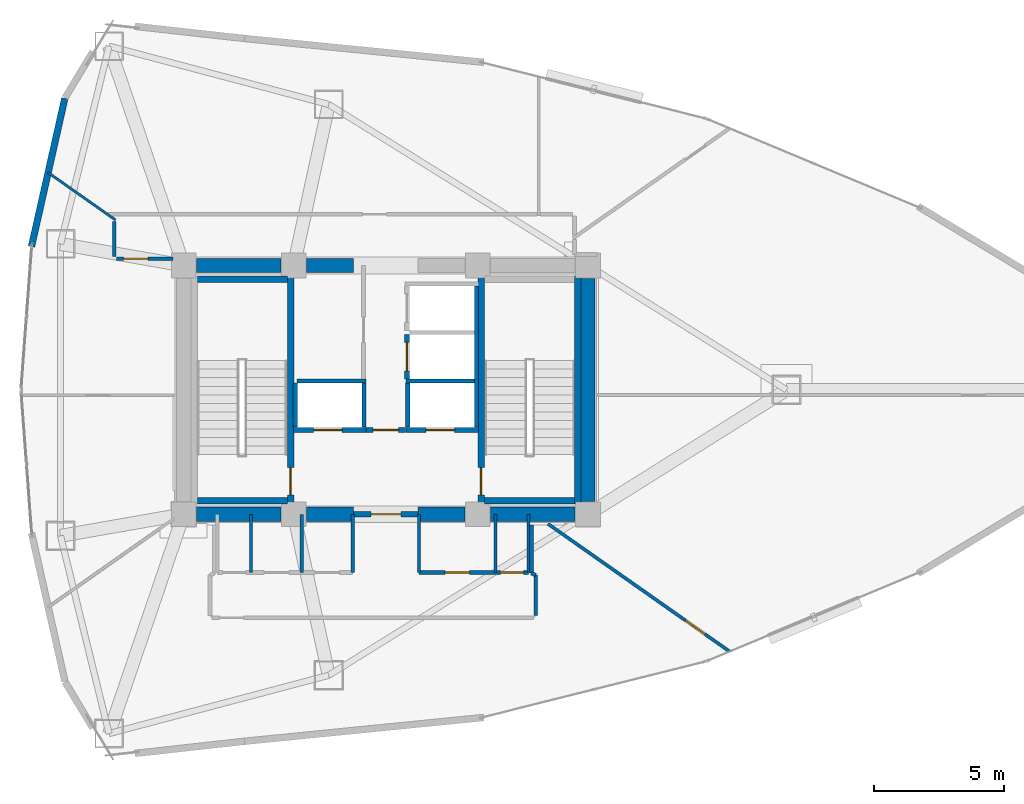
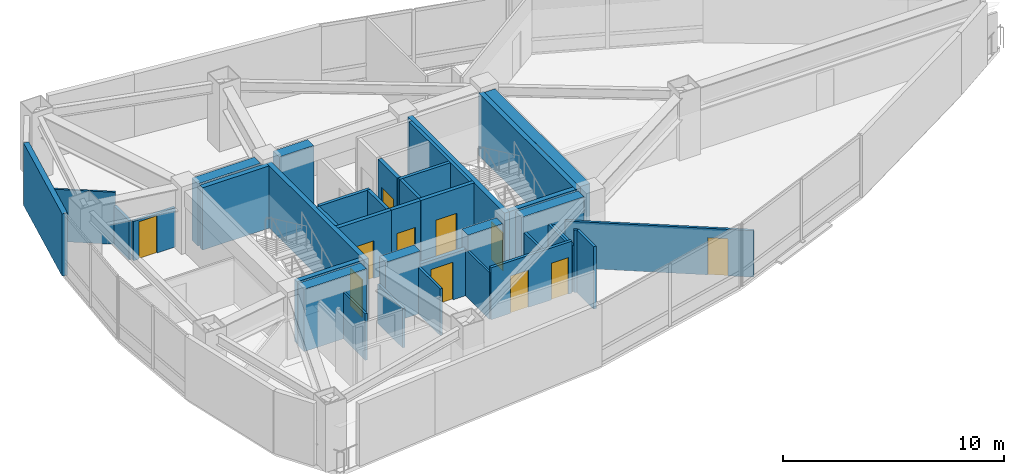
# One storey, part 14 of 18: 39 walls, 11 doors, 11 openings.
"""IFC4 building model written with IfcOpenShell, lengths in metres."""

import ifcopenshell
import ifcopenshell.guid

model = None  # the IFC model being written
_history = None  # IfcOwnerHistory: only IFC2X3 demands one
_inside = {}  # id of a spatial element -> (the spatial element, [elements in it])
_under = {}  # id of a project, library or spatial element -> (it, [spatial elements below it])
_declared = {}  # id of a project -> (the project, [libraries it declares])
_typed = {}  # id of a type object -> (the type object, [elements of that type])
_made_of = {}  # id of a material, layer set ... -> (it, [elements and type objects made of it])


def new_model(schema):
    """Start an empty IFC model of exactly this schema.

    Asked for "IFC4X3", IfcOpenShell would pick the latest addendum, in which some entities
    have other attributes; the version numbers below select the first issue.
    IFC2X3 requires an IfcOwnerHistory on every rooted entity: one is made here for all.
    """
    global model, _history
    if schema == "IFC4X3":
        model = ifcopenshell.file(schema_version=(4, 3, 0, 0))
    else:
        model = ifcopenshell.file(schema=schema)
    _inside.clear()
    _under.clear()
    _declared.clear()
    _typed.clear()
    _made_of.clear()
    _history = None
    if model.schema == "IFC2X3":
        org = make("IfcOrganization", Name="unknown")
        user = make(
            "IfcPersonAndOrganization",
            ThePerson=make("IfcPerson", FamilyName="unknown"),
            TheOrganization=org,
        )
        app = make(
            "IfcApplication",
            ApplicationDeveloper=org,
            Version="unknown",
            ApplicationFullName="unknown",
            ApplicationIdentifier="unknown",
        )
        _history = make(
            "IfcOwnerHistory",
            OwningUser=user,
            OwningApplication=app,
            ChangeAction="ADDED",
            CreationDate=0,
        )
    return model


def make(cls, **values):
    """One entity of the class cls with the attributes given. An attribute that is None is left unset."""
    return model.create_entity(
        cls, **{name: value for name, value in values.items() if value is not None}
    )


def rooted(cls, **values):
    """An entity with a GlobalId (a new one), such as an element, a storey or a relation."""
    return make(cls, GlobalId=ifcopenshell.guid.new(), OwnerHistory=_history, **values)


def si_unit(unit_type, name, prefix=None):
    """IfcSIUnit, for example si_unit("LENGTHUNIT", "METRE", prefix="MILLI")."""
    return make("IfcSIUnit", UnitType=unit_type, Prefix=prefix, Name=name)


def assignment(units):
    """IfcUnitAssignment: the units of a project."""
    return None if units is None else make("IfcUnitAssignment", Units=units)


def point(xyz):
    """IfcCartesianPoint."""
    return None if xyz is None else make("IfcCartesianPoint", Coordinates=xyz)


def direction(xyz):
    """IfcDirection."""
    return None if xyz is None else make("IfcDirection", DirectionRatios=xyz)


def frame(location, z_axis=None, x_axis=None):
    """IfcAxis2Placement3D, a coordinate frame: its origin and axes. An axis left out is left unset."""
    return make(
        "IfcAxis2Placement3D",
        Location=point(location),
        Axis=direction(z_axis),
        RefDirection=direction(x_axis),
    )


def frame_2d(location, x_axis=None):
    """IfcAxis2Placement2D, a coordinate frame in the plane: its origin and x axis."""
    return make(
        "IfcAxis2Placement2D", Location=point(location), RefDirection=direction(x_axis)
    )


def origin():
    """The frame at (0, 0, 0) with its axes left unset."""
    return frame((0.0, 0.0, 0.0))


def place(relative_to, where):
    """IfcLocalPlacement: puts the frame where relative to a parent placement (None: the world)."""
    return make(
        "IfcLocalPlacement", PlacementRelTo=relative_to, RelativePlacement=where
    )


def context(
    kind, dimensions, precision=None, world=None, true_north=None, identifier=None
):
    """IfcGeometricRepresentationContext, for example the 3D "Model" context."""
    return make(
        "IfcGeometricRepresentationContext",
        ContextIdentifier=identifier,
        ContextType=kind,
        CoordinateSpaceDimension=dimensions,
        Precision=precision,
        WorldCoordinateSystem=world,
        TrueNorth=true_north,
    )


def subcontext(parent, identifier, kind, view, scale=None):
    """IfcGeometricRepresentationSubContext, for example "Body" below "Model"."""
    return make(
        "IfcGeometricRepresentationSubContext",
        ContextIdentifier=identifier,
        ContextType=kind,
        ParentContext=parent,
        TargetScale=scale,
        TargetView=view,
    )


def project(units=None, contexts=None):
    """IfcProject with its units and contexts."""
    return rooted(
        "IfcProject",
        Name="project",
        RepresentationContexts=contexts,
        UnitsInContext=assignment(units),
    )


def spatial(cls, under=None, at=None, **own):
    """A site, building, storey or space (cls), placed at a placement, below another one or the project."""
    s = rooted(cls, ObjectPlacement=at, **own)
    if under is not None:
        _under.setdefault(under.id(), (under, []))[1].append(s)
    return s


def profile(cls, at=None, kind="AREA", **sizes):
    """A parametric profile (cls). Its sizes go by their IFC names, for example OverallWidth=200.0."""
    return make(cls, ProfileType=kind, Position=at, **sizes)


def rectangle(**sizes):
    """IfcRectangleProfileDef."""
    return profile("IfcRectangleProfileDef", **sizes)


def extrude(swept, where, along, depth):
    """IfcExtrudedAreaSolid: the profile swept, set in the frame where, extruded along a direction by depth."""
    return make(
        "IfcExtrudedAreaSolid",
        SweptArea=swept,
        Position=where,
        ExtrudedDirection=direction(along),
        Depth=depth,
    )


def shape(context_of_items, identifier, shape_type, items):
    """IfcShapeRepresentation: the items that make up one representation, for example the "Body"."""
    return make(
        "IfcShapeRepresentation",
        ContextOfItems=context_of_items,
        RepresentationIdentifier=identifier,
        RepresentationType=shape_type,
        Items=items,
    )


def material(Name=None, Category=None):
    """IfcMaterial."""
    return make("IfcMaterial", Name=Name, Category=Category)


def layer(
    of_material, thickness, ventilated=None, Name=None, Category=None, Priority=None
):
    """IfcMaterialLayer: one layer of a wall or slab, of a material (None: an air gap)."""
    return make(
        "IfcMaterialLayer",
        Material=of_material,
        LayerThickness=thickness,
        IsVentilated=ventilated,
        Name=Name,
        Category=Category,
        Priority=Priority,
    )


def layer_set(layers, Name=None):
    """IfcMaterialLayerSet."""
    return make("IfcMaterialLayerSet", MaterialLayers=layers, LayerSetName=Name)


def made_of(thing, what):
    """Note that an element or type object is made of a material, layer set ...; save() writes the relation."""
    if what is not None:
        _made_of.setdefault(what.id(), (what, []))[1].append(thing)
    return thing


def type_object(cls, material=None, **own):
    """A type object (cls), such as IfcWallType, which elements share."""
    return made_of(rooted(cls, **own), material)


def element(
    cls,
    number,
    at=None,
    inside=None,
    cuts=None,
    type_object=None,
    material=None,
    context=None,
    identifier="Body",
    shape_type=None,
    held_by="IfcProductDefinitionShape",
    body=None,
    shapes=None,
    **own,
):
    """One element of the class cls, such as IfcWall. Its Tag is "e" and its number.

    at: its placement. inside: the storey or other place that contains it. cuts: it is an
    opening in that element (IfcRelVoidsElement). A single representation is given by context,
    identifier, shape_type and body (its items); several are given by shapes. held_by: the class
    of the entity that holds the representations. save() writes the other relations.
    """
    e = rooted(cls, Tag="e%d" % number, ObjectPlacement=at, **own)
    if body is not None:
        shapes = [shape(context, identifier, shape_type, body)]
    if shapes is not None:
        e.Representation = make(held_by, Representations=shapes)
    if inside is not None:
        _inside.setdefault(inside.id(), (inside, []))[1].append(e)
    if cuts is not None:
        rooted(
            "IfcRelVoidsElement", RelatingBuildingElement=cuts, RelatedOpeningElement=e
        )
    if type_object is not None:
        _typed.setdefault(type_object.id(), (type_object, []))[1].append(e)
    return made_of(e, material)


def fill(opening, filler):
    """IfcRelFillsElement: the door or window that sits in an opening."""
    return rooted(
        "IfcRelFillsElement",
        RelatingOpeningElement=opening,
        RelatedBuildingElement=filler,
    )


def aggregate(whole, parts):
    """IfcRelAggregates: a whole, such as a stair, and the parts it consists of."""
    return rooted("IfcRelAggregates", RelatingObject=whole, RelatedObjects=parts)


def save(model, path):
    """Write the relations noted so far, then the file.

    IfcRelAggregates (storeys below a building ...), IfcRelContainedInSpatialStructure (elements
    in a storey), IfcRelDefinesByType, IfcRelAssociatesMaterial and IfcRelDeclares: one each for
    every whole, place, type object, material and project.
    """
    for whole, parts in _under.values():
        aggregate(whole, parts)
    for where, things in _inside.values():
        rooted(
            "IfcRelContainedInSpatialStructure",
            RelatedElements=things,
            RelatingStructure=where,
        )
    for kind, things in _typed.values():
        rooted("IfcRelDefinesByType", RelatedObjects=things, RelatingType=kind)
    for what, things in _made_of.values():
        rooted("IfcRelAssociatesMaterial", RelatedObjects=things, RelatingMaterial=what)
    for by, libraries in _declared.values():
        rooted("IfcRelDeclares", RelatingContext=by, RelatedDefinitions=libraries)
    model.write(path)


model = new_model("IFC4")

# Units and contexts
model_context = context("Model", 3, precision=1e-05, world=origin(), true_north=direction((0.0, 1.0)))
body_context = subcontext(model_context, "Body", "Model", "MODEL_VIEW")
ifc_project = project(units=[si_unit("LENGTHUNIT", "METRE"), si_unit("AREAUNIT", "SQUARE_METRE"), si_unit("VOLUMEUNIT", "CUBIC_METRE"), si_unit("PLANEANGLEUNIT", "RADIAN"), si_unit("MASSUNIT", "GRAM", prefix="KILO")], contexts=[model_context])

# Site, building, storey
site_placement = place(None, origin())
site = spatial("IfcSite", under=ifc_project, at=site_placement, CompositionType="ELEMENT")
building_placement = place(site_placement, origin())
building = spatial("IfcBuilding", under=site, at=building_placement, Name="Menara Vayukalpa", CompositionType="ELEMENT")
storey_placement = place(building_placement, frame((0.0, 0.0, 169.199951171875)))
storey = spatial("IfcBuildingStorey", under=building, at=storey_placement, Name="L42", CompositionType="ELEMENT", Elevation=169.199951171875)

# Walls
ifc_material_1 = material(Name="Concrete C60/75", Category="concrete")
ifc_layer_1 = layer(ifc_material_1, 0.550048828125)
ifc_layer_set_1 = layer_set([ifc_layer_1], Name="Concrete C60/75")
wall_type_1 = type_object("IfcWallType", Name="WAL-CW550", PredefinedType="SHEAR", material=ifc_layer_set_1)
wall_1_placement = place(storey_placement, frame((18.294921875, 17.199951171875, 0.0), z_axis=(0.0, 0.0, 1.0), x_axis=(1.0, 0.0, 0.0)))
element("IfcWall", 1, at=wall_1_placement, inside=storey, type_object=wall_type_1, Name="L42 Buttressed Core Shear Wall CWS1", PredefinedType="SHEAR", context=body_context, shape_type="SweptSolid", body=[
    extrude(rectangle(XDim=3.260009765625, YDim=0.550048828125, at=frame_2d((1.6298828125, 0.0))), origin(), (0.0, 0.0, 1.0), 3.43994140625),
])
wall_2_placement = place(storey_placement, frame((22.544921875, 17.199951171875, 0.0), z_axis=(0.0, 0.0, 1.0), x_axis=(1.0, 0.0, 0.0)))
element("IfcWall", 2, at=wall_2_placement, inside=storey, type_object=wall_type_1, Name="L42 Buttressed Core Shear Wall CWS2", PredefinedType="SHEAR", context=body_context, shape_type="SweptSolid", body=[
    extrude(rectangle(XDim=1.80517578125, YDim=0.550048828125, at=frame_2d((0.902587890625, 0.0))), origin(), (0.0, 0.0, 1.0), 3.43994140625),
])
wall_3_placement = place(storey_placement, frame((26.85009765625, 17.199951171875, 0.0), z_axis=(0.0, 0.0, 1.0), x_axis=(1.0, 0.0, 0.0)))
element("IfcWall", 3, at=wall_3_placement, inside=storey, type_object=wall_type_1, Name="L42 Buttressed Core Shear Wall CWS3", PredefinedType="SHEAR", context=body_context, shape_type="SweptSolid", body=[
    extrude(rectangle(XDim=1.804931640625, YDim=0.550048828125, at=frame_2d((0.90234375, 0.0))), origin(), (0.0, 0.0, 1.0), 3.43994140625),
])
for number, where, z_axis, x_axis, name in (
    (4, (29.64501953125, 17.199951171875, 0.0), (0.0, 0.0, 1.0), (1.0, 0.0, 0.0), "L42 Buttressed Core Shear Wall CWS4"),
    (5, (18.294921875, 26.800048828125, 0.0), (0.0, 0.0, 1.0), (1.0, 0.0, 0.0), "L42 Buttressed Core Shear Wall CWN1"),
):
    element("IfcWall", number, at=place(storey_placement, frame(where, z_axis=z_axis, x_axis=x_axis)), inside=storey, type_object=wall_type_1, Name=name, PredefinedType="SHEAR", context=body_context, shape_type="SweptSolid", body=[
        extrude(rectangle(XDim=3.260009765625, YDim=0.550048828125, at=frame_2d((1.6298828125, 0.0))), origin(), (0.0, 0.0, 1.0), 3.43994140625),
    ])
wall_4_placement = place(storey_placement, frame((22.544921875, 26.800048828125, 0.0), z_axis=(0.0, 0.0, 1.0), x_axis=(1.0, 0.0, 0.0)))
element("IfcWall", 6, at=wall_4_placement, inside=storey, type_object=wall_type_1, Name="L42 Buttressed Core Shear Wall CWN2", PredefinedType="SHEAR", context=body_context, shape_type="SweptSolid", body=[
    extrude(rectangle(XDim=1.80517578125, YDim=0.550048828125, at=frame_2d((0.902587890625, 0.0))), origin(), (0.0, 0.0, 1.0), 3.43994140625),
])
wall_5_placement = place(storey_placement, frame((33.39990234375, 17.695068359375, 0.0), z_axis=(0.0, 0.0, 1.0), x_axis=(0.0, 1.0, 0.0)))
element("IfcWall", 7, at=wall_5_placement, inside=storey, type_object=wall_type_1, Name="L42 Buttressed Core Shear Wall CWE1", PredefinedType="SHEAR", context=body_context, shape_type="SweptSolid", body=[
    extrude(rectangle(XDim=8.60986328125, YDim=0.550048828125, at=frame_2d((4.304931640625, 0.0))), origin(), (0.0, 0.0, 1.0), 3.43994140625),
])
ifc_material_2 = material(Name="Insulated Precast Concrete C40/50", Category="concrete")
ifc_layer_2 = layer(ifc_material_2, 0.260009765625)
ifc_layer_set_2 = layer_set([ifc_layer_2], Name="Insulated Precast Concrete C40/50")
wall_type_2 = type_object("IfcWallType", Name="WAL-EXT260", PredefinedType="PARTITIONING", material=ifc_layer_set_2)
wall_6_placement = place(storey_placement, frame((11.925048828125, 27.5244140625, 0.0), z_axis=(0.0, 0.0, 1.0), x_axis=(0.219491422264, 0.975614429758, 0.0)))
element("IfcWall", 8, at=wall_6_placement, inside=storey, type_object=wall_type_2, Name="L42 Perimeter Terracotta Pier Wall 09", PredefinedType="PARTITIONING", context=body_context, shape_type="SweptSolid", body=[
    extrude(rectangle(XDim=5.873046875, YDim=0.260009765625, at=frame_2d((2.9365234375, 0.0))), origin(), (0.0, 0.0, 1.0), 3.43994140625),
])
ifc_material_3 = material(Name="Lightweight Concrete Blockwork C16/20", Category="masonry")
ifc_layer_3 = layer(ifc_material_3, 0.159912109375)
ifc_layer_set_3 = layer_set([ifc_layer_3], Name="Lightweight Concrete Blockwork C16/20")
wall_type_3 = type_object("IfcWallType", Name="WAL-FR150", PredefinedType="PARTITIONING", material=ifc_layer_set_3)
for number, where, z_axis, x_axis, name in (
    (9, (22.10498046875, 20.56005859375, 0.0), (0.0, 0.0, 1.0), (0.0, 1.0, 0.0), "L42 Interior Partition IW-L42-SHW-WW"),
    (10, (24.7548828125, 20.56005859375, 0.0), (0.0, 0.0, 1.0), (0.0, 1.0, 0.0), "L42 Interior Partition IW-L42-SHW-W1E"),
):
    element("IfcWall", number, at=place(storey_placement, frame(where, z_axis=z_axis, x_axis=x_axis)), inside=storey, type_object=wall_type_3, Name=name, PredefinedType="PARTITIONING", context=body_context, shape_type="SweptSolid", body=[
        extrude(rectangle(XDim=1.7099609375, YDim=0.159912109375, at=frame_2d((0.85498046875, 0.0))), origin(), (0.0, 0.0, 1.0), 3.43994140625),
    ])
wall_7_placement = place(storey_placement, frame((22.179931640625, 22.344970703125, 0.0), z_axis=(0.0, 0.0, 1.0), x_axis=(1.0, 0.0, 0.0)))
element("IfcWall", 11, at=wall_7_placement, inside=storey, type_object=wall_type_3, Name="L42 Interior Partition IW-L42-SHM-W12", PredefinedType="PARTITIONING", context=body_context, shape_type="SweptSolid", body=[
    extrude(rectangle(XDim=2.650146484375, YDim=0.159912109375, at=frame_2d((1.3251953125, 0.0))), origin(), (0.0, 0.0, 1.0), 3.43994140625),
])
wall_8_placement = place(storey_placement, frame((29.094970703125, 20.56005859375, 0.0), z_axis=(0.0, 0.0, 1.0), x_axis=(0.0, 1.0, 0.0)))
element("IfcWall", 12, at=wall_8_placement, inside=storey, type_object=wall_type_3, Name="L42 Interior Partition IW-L42-SHW-EE", PredefinedType="PARTITIONING", context=body_context, shape_type="SweptSolid", body=[
    extrude(rectangle(XDim=5.449951171875, YDim=0.159912109375, at=frame_2d((2.72509765625, 0.0))), origin(), (0.0, 0.0, 1.0), 3.43994140625),
])
wall_9_placement = place(storey_placement, frame((26.445068359375, 20.56005859375, 0.0), z_axis=(0.0, 0.0, 1.0), x_axis=(0.0, 1.0, 0.0)))
element("IfcWall", 13, at=wall_9_placement, inside=storey, type_object=wall_type_3, Name="L42 Interior Partition IW-L42-SHW-E1W", PredefinedType="PARTITIONING", context=body_context, shape_type="SweptSolid", body=[
    extrude(rectangle(XDim=1.7099609375, YDim=0.159912109375, at=frame_2d((0.85498046875, 0.0))), origin(), (0.0, 0.0, 1.0), 3.43994140625),
])
wall_10_placement = place(storey_placement, frame((26.3701171875, 22.344970703125, 0.0), z_axis=(0.0, 0.0, 1.0), x_axis=(1.0, 0.0, 0.0)))
element("IfcWall", 14, at=wall_10_placement, inside=storey, type_object=wall_type_3, Name="L42 Interior Partition IW-L42-SHM-E13", PredefinedType="PARTITIONING", context=body_context, shape_type="SweptSolid", body=[
    extrude(rectangle(XDim=2.64990234375, YDim=0.159912109375, at=frame_2d((1.324951171875, 0.0))), origin(), (0.0, 0.0, 1.0), 3.43994140625),
])

# Wall, opening, door
ifc_material_4 = material(Name="Lightweight Concrete Blockwork C16/20", Category="masonry")
ifc_layer_4 = layer(ifc_material_4, 0.199951171875)
ifc_layer_set_4 = layer_set([ifc_layer_4], Name="Lightweight Concrete Blockwork C16/20")
wall_type_4 = type_object("IfcWallType", Name="WAL-FR200", PredefinedType="PARTITIONING", material=ifc_layer_set_4)
wall_11_placement = place(storey_placement, frame((24.35009765625, 17.199951171875, 0.0), z_axis=(0.0, 0.0, 1.0), x_axis=(1.0, 0.0, 0.0)))
wall_11 = element("IfcWall", 15, at=wall_11_placement, inside=storey, type_object=wall_type_4, Name="L42 Interior Partition IW-L42-FFLS", PredefinedType="PARTITIONING", context=body_context, shape_type="SweptSolid", body=[
    extrude(rectangle(XDim=2.5, YDim=0.199951171875, at=frame_2d((1.25, 0.0))), origin(), (0.0, 0.0, 1.0), 2.570068359375),
])
opening_1_placement = place(wall_11_placement, frame((0.679931640625, 0.0, 0.0)))
opening_1 = element("IfcOpeningElement", 16, at=opening_1_placement, cuts=wall_11, Name="Opening ID2", PredefinedType="OPENING", context=body_context, shape_type="SweptSolid", body=[
    extrude(rectangle(XDim=1.14990234375, YDim=2.080078125, at=frame_2d((0.574951171875, 1.0400390625))), frame((0.0, 0.10986328125, 0.0), z_axis=(0.0, -1.0, 0.0), x_axis=(1.0, 0.0, 0.0)), (0.0, 0.0, 1.0), 0.219970703125),
])
ifc_material_5 = material(Name="Fire-Rated Powder-Coated Steel Door", Category="steel")
door_type_1 = type_object("IfcDoorType", Name="DR-FD60W", OperationType="NOTDEFINED", PredefinedType="DOOR", material=ifc_material_5)
door_1_placement = place(opening_1_placement, origin())
door_1 = element("IfcDoor", 17, at=door_1_placement, inside=storey, type_object=door_type_1, Name="L42 Interior Door DR-L42-FFLS", OperationType="SINGLE_SWING_LEFT", OverallHeight=2.080078125, OverallWidth=1.14990234375, PredefinedType="DOOR", context=body_context, shape_type="SweptSolid", body=[
    extrude(rectangle(XDim=1.14990234375, YDim=2.080078125, at=frame_2d((0.574951171875, 1.0400390625))), frame((0.0, 0.02490234375, 0.0), z_axis=(0.0, -1.0, 0.0), x_axis=(1.0, 0.0, 0.0)), (0.0, 0.0, 1.0), 0.050048828125),
])
fill(opening_1, door_1)

wall_12_placement = place(storey_placement, frame((24.840087890625, 20.449951171875, 0.0), z_axis=(0.0, 0.0, 1.0), x_axis=(1.0, 0.0, 0.0)))
wall_12 = element("IfcWall", 18, at=wall_12_placement, inside=storey, type_object=wall_type_4, Name="L42 Interior Partition IW-L42-FFLN", PredefinedType="PARTITIONING", context=body_context, shape_type="SweptSolid", body=[
    extrude(rectangle(XDim=1.52001953125, YDim=0.199951171875, at=frame_2d((0.760009765625, 0.0))), origin(), (0.0, 0.0, 1.0), 3.43994140625),
])
opening_2_placement = place(wall_12_placement, frame((0.27001953125, 0.0, 0.0)))
opening_2 = element("IfcOpeningElement", 19, at=opening_2_placement, cuts=wall_12, Name="Opening ID3", PredefinedType="OPENING", context=body_context, shape_type="SweptSolid", body=[
    extrude(rectangle(XDim=0.97998046875, YDim=2.06005859375, at=frame_2d((0.489990234375, 1.030029296875))), frame((0.0, 0.10986328125, 0.0), z_axis=(0.0, -1.0, 0.0), x_axis=(1.0, 0.0, 0.0)), (0.0, 0.0, 1.0), 0.219970703125),
])
ifc_material_6 = material(Name="Fire-Rated Powder-Coated Steel Door", Category="steel")
door_type_2 = type_object("IfcDoorType", Name="DR-FD60", OperationType="NOTDEFINED", PredefinedType="DOOR", material=ifc_material_6)
door_2_placement = place(opening_2_placement, origin())
door_2 = element("IfcDoor", 20, at=door_2_placement, inside=storey, type_object=door_type_2, Name="L42 Interior Door DR-L42-FFLN", OperationType="SINGLE_SWING_RIGHT", OverallHeight=2.06005859375, OverallWidth=0.97998046875, PredefinedType="DOOR", context=body_context, shape_type="SweptSolid", body=[
    extrude(rectangle(XDim=0.97998046875, YDim=2.06005859375, at=frame_2d((0.489990234375, 1.030029296875))), frame((0.0, 0.02490234375, 0.0), z_axis=(0.0, -1.0, 0.0), x_axis=(1.0, 0.0, 0.0)), (0.0, 0.0, 1.0), 0.050048828125),
])
fill(opening_2, door_2)

wall_13_placement = place(storey_placement, frame((22.030029296875, 20.449951171875, 0.0), z_axis=(0.0, 0.0, 1.0), x_axis=(1.0, 0.0, 0.0)))
wall_13 = element("IfcWall", 21, at=wall_13_placement, inside=storey, type_object=wall_type_4, Name="L42 Interior Partition IW-L42-SH-W1", PredefinedType="PARTITIONING", context=body_context, shape_type="SweptSolid", body=[
    extrude(rectangle(XDim=2.800048828125, YDim=0.199951171875, at=frame_2d((1.39990234375, 0.0))), origin(), (0.0, 0.0, 1.0), 3.43994140625),
])
opening_3_placement = place(wall_13_placement, frame((0.780029296875, 0.0, 0.0)))
opening_3 = element("IfcOpeningElement", 22, at=opening_3_placement, cuts=wall_13, Name="Opening LD1", PredefinedType="OPENING", context=body_context, shape_type="SweptSolid", body=[
    extrude(rectangle(XDim=1.10009765625, YDim=2.080078125, at=frame_2d((0.550048828125, 1.0400390625))), frame((0.0, 0.10986328125, 0.0), z_axis=(0.0, -1.0, 0.0), x_axis=(1.0, 0.0, 0.0)), (0.0, 0.0, 1.0), 0.219970703125),
])
ifc_material_7 = material(Name="Brushed Stainless Steel 316 Lift Door", Category="steel")
door_type_3 = type_object("IfcDoorType", Name="DR-LD110", OperationType="NOTDEFINED", PredefinedType="DOOR", material=ifc_material_7)
door_3_placement = place(opening_3_placement, origin())
door_3 = element("IfcDoor", 23, at=door_3_placement, inside=storey, type_object=door_type_3, Name="L42 Interior Door DR-L42-LD-W1", OperationType="DOUBLE_DOOR_SLIDING", OverallHeight=2.080078125, OverallWidth=1.10009765625, PredefinedType="DOOR", context=body_context, shape_type="SweptSolid", body=[
    extrude(rectangle(XDim=1.10009765625, YDim=2.080078125, at=frame_2d((0.550048828125, 1.0400390625))), frame((0.0, 0.02490234375, 0.0), z_axis=(0.0, -1.0, 0.0), x_axis=(1.0, 0.0, 0.0)), (0.0, 0.0, 1.0), 0.050048828125),
])
fill(opening_3, door_3)

wall_14_placement = place(storey_placement, frame((26.3701171875, 20.449951171875, 0.0), z_axis=(0.0, 0.0, 1.0), x_axis=(1.0, 0.0, 0.0)))
wall_14 = element("IfcWall", 24, at=wall_14_placement, inside=storey, type_object=wall_type_4, Name="L42 Interior Partition IW-L42-SH-E1", PredefinedType="PARTITIONING", context=body_context, shape_type="SweptSolid", body=[
    extrude(rectangle(XDim=2.7998046875, YDim=0.199951171875, at=frame_2d((1.39990234375, 0.0))), origin(), (0.0, 0.0, 1.0), 3.43994140625),
])
opening_4_placement = place(wall_14_placement, frame((0.780029296875, 0.0, 0.0)))
opening_4 = element("IfcOpeningElement", 25, at=opening_4_placement, cuts=wall_14, Name="Opening LD1", PredefinedType="OPENING", context=body_context, shape_type="SweptSolid", body=[
    extrude(rectangle(XDim=1.10009765625, YDim=2.080078125, at=frame_2d((0.550048828125, 1.0400390625))), frame((0.0, 0.10986328125, 0.0), z_axis=(0.0, -1.0, 0.0), x_axis=(1.0, 0.0, 0.0)), (0.0, 0.0, 1.0), 0.219970703125),
])
door_4_placement = place(opening_4_placement, origin())
door_4 = element("IfcDoor", 26, at=door_4_placement, inside=storey, type_object=door_type_3, Name="L42 Interior Door DR-L42-LD-E1", OperationType="DOUBLE_DOOR_SLIDING", OverallHeight=2.080078125, OverallWidth=1.10009765625, PredefinedType="DOOR", context=body_context, shape_type="SweptSolid", body=[
    extrude(rectangle(XDim=1.10009765625, YDim=2.080078125, at=frame_2d((0.550048828125, 1.0400390625))), frame((0.0, 0.02490234375, 0.0), z_axis=(0.0, -1.0, 0.0), x_axis=(1.0, 0.0, 0.0)), (0.0, 0.0, 1.0), 0.050048828125),
])
fill(opening_4, door_4)

wall_15_placement = place(storey_placement, frame((26.419921875, 22.419921875, 0.0), z_axis=(0.0, 0.0, 1.0), x_axis=(0.0, 1.0, 0.0)))
wall_15 = element("IfcWall", 27, at=wall_15_placement, inside=storey, type_object=wall_type_4, Name="L42 Interior Partition IW-L42-SH-E3", PredefinedType="PARTITIONING", context=body_context, shape_type="SweptSolid", body=[
    extrude(rectangle(XDim=1.719970703125, YDim=0.199951171875, at=frame_2d((0.85986328125, 0.0))), origin(), (0.0, 0.0, 1.0), 3.43994140625),
])
opening_5_placement = place(wall_15_placement, frame((0.31005859375, 0.0, 0.0)))
opening_5 = element("IfcOpeningElement", 28, at=opening_5_placement, cuts=wall_15, Name="Opening LD1", PredefinedType="OPENING", context=body_context, shape_type="SweptSolid", body=[
    extrude(rectangle(XDim=1.10009765625, YDim=2.080078125, at=frame_2d((0.550048828125, 1.0400390625))), frame((0.0, 0.10986328125, 0.0), z_axis=(0.0, -1.0, 0.0), x_axis=(1.0, 0.0, 0.0)), (0.0, 0.0, 1.0), 0.219970703125),
])
door_5_placement = place(opening_5_placement, origin())
door_5 = element("IfcDoor", 29, at=door_5_placement, inside=storey, type_object=door_type_3, Name="L42 Interior Door DR-L42-LD-E3", OperationType="DOUBLE_DOOR_SLIDING", OverallHeight=2.080078125, OverallWidth=1.10009765625, PredefinedType="DOOR", context=body_context, shape_type="SweptSolid", body=[
    extrude(rectangle(XDim=1.10009765625, YDim=2.080078125, at=frame_2d((0.550048828125, 1.0400390625))), frame((0.0, 0.02490234375, 0.0), z_axis=(0.0, -1.0, 0.0), x_axis=(1.0, 0.0, 0.0)), (0.0, 0.0, 1.0), 0.050048828125),
])
fill(opening_5, door_5)

# Walls
ifc_material_8 = material(Name="Glazed Demountable Office Partition", Category="glass")
ifc_layer_5 = layer(ifc_material_8, 0.094970703125)
ifc_layer_set_5 = layer_set([ifc_layer_5], Name="Glazed Demountable Office Partition")
wall_type_5 = type_object("IfcWallType", Name="WAL-PT100", PredefinedType="PARTITIONING", material=ifc_layer_set_5)
wall_16_placement = place(storey_placement, frame((12.5595703125, 30.390625, 0.0), z_axis=(0.0, 0.0, 1.0), x_axis=(0.818166400988, -0.574981513002, 0.0)))
element("IfcWall", 30, at=wall_16_placement, inside=storey, type_object=wall_type_5, Name="L42 Interior Partition IW-L42-RDIV06", PredefinedType="PARTITIONING", context=body_context, shape_type="SweptSolid", body=[
    extrude(rectangle(XDim=3.1904296875, YDim=0.094970703125, at=frame_2d((1.59521484375, 0.0))), origin(), (0.0, 0.0, 1.0), 2.8701171875),
])
ifc_material_9 = material(Name="Acoustic Mineral Stud Partition", Category="masonry")
ifc_layer_6 = layer(ifc_material_9, 0.110107421875)
ifc_layer_set_6 = layer_set([ifc_layer_6], Name="Acoustic Mineral Stud Partition")
wall_type_6 = type_object("IfcWallType", Name="WAL-PT110", PredefinedType="PARTITIONING", material=ifc_layer_set_6)
for number, where, z_axis, x_axis, name in (
    (31, (20.39990234375, 14.949951171875, 0.0), (0.0, 0.0, 1.0), (0.0, 1.0, 0.0), "L42 Interior Partition IW-L42-SVCD-02"),
    (32, (26.8798828125, 14.949951171875, 0.0), (0.0, 0.0, 1.0), (0.0, 1.0, 0.0), "L42 Interior Partition IW-L42-SVCD-05"),
):
    element("IfcWall", number, at=place(storey_placement, frame(where, z_axis=z_axis, x_axis=x_axis)), inside=storey, type_object=wall_type_6, Name=name, PredefinedType="PARTITIONING", context=body_context, shape_type="SweptSolid", body=[
        extrude(rectangle(XDim=2.25, YDim=0.110107421875, at=frame_2d((1.125, 0.0))), origin(), (0.0, 0.0, 1.0), 2.570068359375),
    ])
ifc_material_10 = material(Name="Gypsum Drywall Steel Stud Assembly", Category="steel")
ifc_layer_7 = layer(ifc_material_10, 0.125)
ifc_layer_set_7 = layer_set([ifc_layer_7], Name="Gypsum Drywall Steel Stud Assembly")
wall_type_7 = type_object("IfcWallType", Name="WAL-PT125", PredefinedType="PARTITIONING", material=ifc_layer_set_7)
wall_17_placement = place(storey_placement, frame((22.360107421875, 14.949951171875, 0.0), z_axis=(0.0, 0.0, 1.0), x_axis=(0.0, 1.0, 0.0)))
element("IfcWall", 33, at=wall_17_placement, inside=storey, type_object=wall_type_7, Name="L42 Interior Partition IW-L42-SVCD-03", PredefinedType="PARTITIONING", context=body_context, shape_type="SweptSolid", body=[
    extrude(rectangle(XDim=2.25, YDim=0.125, at=frame_2d((1.125, 0.0))), origin(), (0.0, 0.0, 1.0), 2.170166015625),
])
for number, where, z_axis, x_axis, name in (
    (34, (24.320068359375, 14.949951171875, 0.0), (0.0, 0.0, 1.0), (0.0, 1.0, 0.0), "L42 Interior Partition IW-L42-SVCD-04"),
    (35, (29.830078125, 14.949951171875, 0.0), (0.0, 0.0, 1.0), (0.0, 1.0, 0.0), "L42 Interior Partition IW-L42-SVCD-06"),
    (36, (31.10009765625, 14.949951171875, 0.0), (0.0, 0.0, 1.0), (0.0, 1.0, 0.0), "L42 Interior Partition IW-L42-SVCD-07"),
):
    element("IfcWall", number, at=place(storey_placement, frame(where, z_axis=z_axis, x_axis=x_axis)), inside=storey, type_object=wall_type_7, Name=name, PredefinedType="PARTITIONING", context=body_context, shape_type="SweptSolid", body=[
        extrude(rectangle(XDim=2.25, YDim=0.125, at=frame_2d((1.125, 0.0))), origin(), (0.0, 0.0, 1.0), 2.570068359375),
    ])

# Wall, opening, door
wall_18_placement = place(storey_placement, frame((31.857421875, 16.830078125, 0.0), z_axis=(0.0, 0.0, 1.0), x_axis=(0.818190973615, -0.574946545945, 0.0)))
wall_18 = element("IfcWall", 37, at=wall_18_placement, inside=storey, type_object=wall_type_7, Name="L42 Interior Partition IW-L42-RDIV07", PredefinedType="PARTITIONING", context=body_context, shape_type="SweptSolid", body=[
    extrude(rectangle(XDim=8.58349609375, YDim=0.125, at=frame_2d((4.291748046875, 0.0))), origin(), (0.0, 0.0, 1.0), 2.570068359375),
])
opening_6_placement = place(wall_18_placement, frame((6.483642578125, 0.0, 0.0)))
opening_6 = element("IfcOpeningElement", 38, at=opening_6_placement, cuts=wall_18, Name="Opening ID6", PredefinedType="OPENING", context=body_context, shape_type="SweptSolid", body=[
    extrude(rectangle(XDim=0.919921875, YDim=2.050048828125, at=frame_2d((0.4599609375, 1.02490234375))), frame((0.0, 0.072509765625, 0.0), z_axis=(0.0, -1.0, 0.0), x_axis=(1.0, 0.0, 0.0)), (0.0, 0.0, 1.0), 0.14501953125),
])
ifc_material_11 = material(Name="Acoustic Hardwood Veneer Timber Door", Category="wood")
door_type_4 = type_object("IfcDoorType", Name="DR-INT92", OperationType="NOTDEFINED", PredefinedType="DOOR", material=ifc_material_11)
door_6_placement = place(opening_6_placement, origin())
door_6 = element("IfcDoor", 39, at=door_6_placement, inside=storey, type_object=door_type_4, Name="L42 Interior Door DR-L42-STE03", OperationType="SINGLE_SWING_LEFT", OverallHeight=2.050048828125, OverallWidth=0.919921875, PredefinedType="DOOR", context=body_context, shape_type="SweptSolid", body=[
    extrude(rectangle(XDim=0.919921875, YDim=2.050048828125, at=frame_2d((0.4599609375, 1.02490234375))), frame((0.0, 0.02490234375, 0.0), z_axis=(0.0, -1.0, 0.0), x_axis=(1.0, 0.0, 0.0)), (0.0, 0.0, 1.0), 0.050048828125),
])
fill(opening_6, door_6)

# Wall, openings, doors
ifc_material_12 = material(Name="Gypsum Drywall Acoustic Stud Assembly", Category="masonry")
ifc_layer_8 = layer(ifc_material_12, 0.14501953125)
ifc_layer_set_8 = layer_set([ifc_layer_8], Name="Gypsum Drywall Acoustic Stud Assembly")
wall_type_8 = type_object("IfcWallType", Name="WAL-PT150", PredefinedType="PARTITIONING", material=ifc_layer_set_8)
wall_19_placement = place(storey_placement, frame((26.8798828125, 14.949951171875, 0.0), z_axis=(0.0, 0.0, 1.0), x_axis=(1.0, 0.0, 0.0)))
wall_19 = element("IfcWall", 40, at=wall_19_placement, inside=storey, type_object=wall_type_8, Name="L42 Interior Partition IW-L42-SVCS-E", PredefinedType="PARTITIONING", context=body_context, shape_type="SweptSolid", body=[
    extrude(rectangle(XDim=4.22021484375, YDim=0.14501953125, at=frame_2d((2.110107421875, 0.0))), origin(), (0.0, 0.0, 1.0), 2.8701171875),
])
opening_7_placement = place(wall_19_placement, frame((0.9951171875, 0.0, 0.0)))
opening_7 = element("IfcOpeningElement", 41, at=opening_7_placement, cuts=wall_19, Name="Opening ID5", PredefinedType="OPENING", context=body_context, shape_type="SweptSolid", body=[
    extrude(rectangle(XDim=0.949951171875, YDim=2.06005859375, at=frame_2d((0.47509765625, 1.030029296875))), frame((0.0, 0.08251953125, 0.0), z_axis=(0.0, -1.0, 0.0), x_axis=(1.0, 0.0, 0.0)), (0.0, 0.0, 1.0), 0.1650390625),
])
opening_8_placement = place(wall_19_placement, frame((3.139892578125, 0.0, 0.0)))
opening_8 = element("IfcOpeningElement", 42, at=opening_8_placement, cuts=wall_19, Name="Opening ID7", PredefinedType="OPENING", context=body_context, shape_type="SweptSolid", body=[
    extrude(rectangle(XDim=0.89990234375, YDim=2.02001953125, at=frame_2d((0.449951171875, 1.010009765625))), frame((0.0, 0.08251953125, 0.0), z_axis=(0.0, -1.0, 0.0), x_axis=(1.0, 0.0, 0.0)), (0.0, 0.0, 1.0), 0.1650390625),
])
ifc_material_13 = material(Name="Acoustic Hardwood Veneer Timber Door", Category="wood")
door_type_5 = type_object("IfcDoorType", Name="DR-INT95", OperationType="NOTDEFINED", PredefinedType="DOOR", material=ifc_material_13)
door_7_placement = place(opening_7_placement, origin())
door_7 = element("IfcDoor", 43, at=door_7_placement, inside=storey, type_object=door_type_5, Name="L42 Interior Door DR-L42-KSV1", OperationType="SINGLE_SWING_LEFT", OverallHeight=2.06005859375, OverallWidth=0.949951171875, PredefinedType="DOOR", context=body_context, shape_type="SweptSolid", body=[
    extrude(rectangle(XDim=0.949951171875, YDim=2.06005859375, at=frame_2d((0.47509765625, 1.030029296875))), frame((0.0, 0.02490234375, 0.0), z_axis=(0.0, -1.0, 0.0), x_axis=(1.0, 0.0, 0.0)), (0.0, 0.0, 1.0), 0.050048828125),
])
fill(opening_7, door_7)
ifc_material_14 = material(Name="Powder-Coated Steel Riser Access Door", Category="steel")
door_type_6 = type_object("IfcDoorType", Name="DR-RISER", OperationType="NOTDEFINED", PredefinedType="DOOR", material=ifc_material_14)
door_8_placement = place(opening_8_placement, origin())
door_8 = element("IfcDoor", 44, at=door_8_placement, inside=storey, type_object=door_type_6, Name="L42 Interior Door DR-L42-SMD", OperationType="SINGLE_SWING_RIGHT", OverallHeight=2.02001953125, OverallWidth=0.89990234375, PredefinedType="DOOR", context=body_context, shape_type="SweptSolid", body=[
    extrude(rectangle(XDim=0.89990234375, YDim=2.02001953125, at=frame_2d((0.449951171875, 1.010009765625))), frame((0.0, 0.02490234375, 0.0), z_axis=(0.0, -1.0, 0.0), x_axis=(1.0, 0.0, 0.0)), (0.0, 0.0, 1.0), 0.050048828125),
])
fill(opening_8, door_8)

# Walls
wall_20_placement = place(storey_placement, frame((31.3798828125, 13.2900390625, 0.0), z_axis=(0.0, 0.0, 1.0), x_axis=(0.0, 1.0, 0.0)))
element("IfcWall", 45, at=wall_20_placement, inside=storey, type_object=wall_type_8, Name="L42 Interior Partition IW-L42-CRM02-4", PredefinedType="PARTITIONING", context=body_context, shape_type="SweptSolid", body=[
    extrude(rectangle(XDim=1.56005859375, YDim=0.14501953125, at=frame_2d((0.780029296875, 0.0))), origin(), (0.0, 0.0, 1.0), 3.43994140625),
])
wall_21_placement = place(storey_placement, frame((31.219970703125, 14.929931640625, 0.0), z_axis=(0.0, 0.0, 1.0), x_axis=(0.0, 1.0, 0.0)))
element("IfcWall", 46, at=wall_21_placement, inside=storey, type_object=wall_type_8, Name="L42 Interior Partition IW-L42-CRM02-5", PredefinedType="PARTITIONING", context=body_context, shape_type="SweptSolid", body=[
    extrude(rectangle(XDim=1.85009765625, YDim=0.14501953125, at=frame_2d((0.925048828125, 0.0))), origin(), (0.0, 0.0, 1.0), 2.570068359375),
])
wall_22_placement = place(storey_placement, frame((15.1201171875, 28.505859375, 0.0), z_axis=(0.0, 0.0, 1.0), x_axis=(0.0, -1.0, 0.0)))
element("IfcWall", 47, at=wall_22_placement, inside=storey, type_object=wall_type_8, Name="L42 Interior Partition IW-L42-CRM07-1", PredefinedType="PARTITIONING", context=body_context, shape_type="SweptSolid", body=[
    extrude(rectangle(XDim=1.365966796875, YDim=0.14501953125, at=frame_2d((0.68310546875, 0.0))), origin(), (0.0, 0.0, 1.0), 2.170166015625),
])

# Wall, opening, door
wall_23_placement = place(storey_placement, frame((15.199951171875, 27.06005859375, 0.0), z_axis=(0.0, 0.0, 1.0), x_axis=(1.0, 0.0, 0.0)))
wall_23 = element("IfcWall", 48, at=wall_23_placement, inside=storey, type_object=wall_type_8, Name="L42 Interior Partition IW-L42-CRM07-2", PredefinedType="PARTITIONING", context=body_context, shape_type="SweptSolid", body=[
    extrude(rectangle(XDim=2.179931640625, YDim=0.14501953125, at=frame_2d((1.08984375, 0.0))), origin(), (0.0, 0.0, 1.0), 2.170166015625),
])
opening_9_placement = place(wall_23_placement, frame((0.280029296875, 0.0, 0.0)))
opening_9 = element("IfcOpeningElement", 49, at=opening_9_placement, cuts=wall_23, Name="Opening ID5", PredefinedType="OPENING", context=body_context, shape_type="SweptSolid", body=[
    extrude(rectangle(XDim=0.949951171875, YDim=2.06005859375, at=frame_2d((0.47509765625, 1.030029296875))), frame((0.0, 0.08251953125, 0.0), z_axis=(0.0, -1.0, 0.0), x_axis=(1.0, 0.0, 0.0)), (0.0, 0.0, 1.0), 0.1650390625),
])
door_9_placement = place(opening_9_placement, origin())
door_9 = element("IfcDoor", 50, at=door_9_placement, inside=storey, type_object=door_type_5, Name="L42 Interior Door DR-L42-RM07", OperationType="SINGLE_SWING_LEFT", OverallHeight=2.06005859375, OverallWidth=0.949951171875, PredefinedType="DOOR", context=body_context, shape_type="SweptSolid", body=[
    extrude(rectangle(XDim=0.949951171875, YDim=2.06005859375, at=frame_2d((0.47509765625, 1.030029296875))), frame((0.0, 0.02490234375, 0.0), z_axis=(0.0, -1.0, 0.0), x_axis=(1.0, 0.0, 0.0)), (0.0, 0.0, 1.0), 0.050048828125),
])
fill(opening_9, door_9)

# Wall
wall_24_placement = place(storey_placement, frame((31.3798828125, 14.85009765625, 0.0), z_axis=(0.0, 0.0, 1.0), x_axis=(-0.89470021502, 0.446667130247, 0.0)))
element("IfcWall", 51, at=wall_24_placement, inside=storey, type_object=wall_type_8, Name="L42 Interior Partition IW-L42-CRM02-4-R1", PredefinedType="PARTITIONING", context=body_context, shape_type="SweptSolid", body=[
    extrude(rectangle(XDim=0.1787109375, YDim=0.14501953125, at=frame_2d((0.08935546875, 0.0))), origin(), (0.0, 0.0, 1.0), 3.43994140625),
])

# Wall, opening, door
ifc_material_15 = material(Name="Concrete C50/60", Category="concrete")
ifc_layer_9 = layer(ifc_material_15, 0.25)
ifc_layer_set_9 = layer_set([ifc_layer_9], Name="Concrete C50/60")
wall_type_9 = type_object("IfcWallType", Name="WAL-SW250", PredefinedType="SHEAR", material=ifc_layer_set_9)
wall_25_placement = place(storey_placement, frame((21.925048828125, 17.60009765625, 0.0), z_axis=(0.0, 0.0, 1.0), x_axis=(0.0, 1.0, 0.0)))
wall_25 = element("IfcWall", 52, at=wall_25_placement, inside=storey, type_object=wall_type_9, Name="L42 ST1 Structural Stair Shaft Wall E", PredefinedType="SHEAR", context=body_context, shape_type="SweptSolid", body=[
    extrude(rectangle(XDim=8.7998046875, YDim=0.25, at=frame_2d((4.39990234375, 0.0))), origin(), (0.0, 0.0, 1.0), 3.43994140625),
])
opening_10_placement = place(wall_25_placement, frame((0.35009765625, 0.0, 0.0)))
opening_10 = element("IfcOpeningElement", 53, at=opening_10_placement, cuts=wall_25, Name="Opening ID1", PredefinedType="OPENING", context=body_context, shape_type="SweptSolid", body=[
    extrude(rectangle(XDim=1.050048828125, YDim=2.080078125, at=frame_2d((0.52490234375, 1.0400390625))), frame((0.0, 0.135009765625, 0.0), z_axis=(0.0, -1.0, 0.0), x_axis=(1.0, 0.0, 0.0)), (0.0, 0.0, 1.0), 0.27001953125),
])
ifc_material_16 = material(Name="Fire-Rated Powder-Coated Steel Door", Category="steel")
door_type_7 = type_object("IfcDoorType", Name="DR-FD120", OperationType="NOTDEFINED", PredefinedType="DOOR", material=ifc_material_16)
door_10_placement = place(opening_10_placement, origin())
door_10 = element("IfcDoor", 54, at=door_10_placement, inside=storey, type_object=door_type_7, Name="L42 Stair Exit Door DR-L42-ST1", OperationType="SINGLE_SWING_LEFT", OverallHeight=2.080078125, OverallWidth=1.050048828125, PredefinedType="DOOR", context=body_context, shape_type="SweptSolid", body=[
    extrude(rectangle(XDim=1.050048828125, YDim=2.080078125, at=frame_2d((0.52490234375, 1.0400390625))), frame((0.0, 0.02490234375, 0.0), z_axis=(0.0, -1.0, 0.0), x_axis=(1.0, 0.0, 0.0)), (0.0, 0.0, 1.0), 0.050048828125),
])
fill(opening_10, door_10)

# Walls
for number, where, z_axis, x_axis, name in (
    (55, (18.3291015625, 17.72509765625, 0.0), (0.0, 0.0, 1.0), (1.0, 0.0, 0.0), "L42 ST1 Structural Stair Shaft Wall S"),
    (56, (18.3291015625, 26.27490234375, 0.0), (0.0, 0.0, 1.0), (1.0, 0.0, 0.0), "L42 ST1 Structural Stair Shaft Wall N"),
):
    element("IfcWall", number, at=place(storey_placement, frame(where, z_axis=z_axis, x_axis=x_axis)), inside=storey, type_object=wall_type_9, Name=name, PredefinedType="SHEAR", context=body_context, shape_type="SweptSolid", body=[
        extrude(rectangle(XDim=3.470947265625, YDim=0.25, at=frame_2d((1.7353515625, 0.0))), origin(), (0.0, 0.0, 1.0), 3.43994140625),
    ])

# Wall, opening, door
wall_26_placement = place(storey_placement, frame((29.27490234375, 17.60009765625, 0.0), z_axis=(0.0, 0.0, 1.0), x_axis=(0.0, 1.0, 0.0)))
wall_26 = element("IfcWall", 57, at=wall_26_placement, inside=storey, type_object=wall_type_9, Name="L42 ST2 Structural Stair Shaft Wall W", PredefinedType="SHEAR", context=body_context, shape_type="SweptSolid", body=[
    extrude(rectangle(XDim=8.7998046875, YDim=0.25, at=frame_2d((4.39990234375, 0.0))), origin(), (0.0, 0.0, 1.0), 3.43994140625),
])
opening_11_placement = place(wall_26_placement, frame((0.35009765625, 0.0, 0.0)))
opening_11 = element("IfcOpeningElement", 58, at=opening_11_placement, cuts=wall_26, Name="Opening ID1", PredefinedType="OPENING", context=body_context, shape_type="SweptSolid", body=[
    extrude(rectangle(XDim=1.050048828125, YDim=2.080078125, at=frame_2d((0.52490234375, 1.0400390625))), frame((0.0, 0.135009765625, 0.0), z_axis=(0.0, -1.0, 0.0), x_axis=(1.0, 0.0, 0.0)), (0.0, 0.0, 1.0), 0.27001953125),
])
door_11_placement = place(opening_11_placement, origin())
door_11 = element("IfcDoor", 59, at=door_11_placement, inside=storey, type_object=door_type_7, Name="L42 Stair Exit Door DR-L42-ST2", OperationType="SINGLE_SWING_RIGHT", OverallHeight=2.080078125, OverallWidth=1.050048828125, PredefinedType="DOOR", context=body_context, shape_type="SweptSolid", body=[
    extrude(rectangle(XDim=1.050048828125, YDim=2.080078125, at=frame_2d((0.52490234375, 1.0400390625))), frame((0.0, 0.02490234375, 0.0), z_axis=(0.0, -1.0, 0.0), x_axis=(1.0, 0.0, 0.0)), (0.0, 0.0, 1.0), 0.050048828125),
])
fill(opening_11, door_11)

# Walls
wall_27_placement = place(storey_placement, frame((32.99609375, 17.60009765625, 0.0), z_axis=(0.0, 0.0, 1.0), x_axis=(0.0, 1.0, 0.0)))
element("IfcWall", 60, at=wall_27_placement, inside=storey, type_object=wall_type_9, Name="L42 ST2 Structural Stair Shaft Wall E", PredefinedType="SHEAR", context=body_context, shape_type="SweptSolid", body=[
    extrude(rectangle(XDim=8.7998046875, YDim=0.25, at=frame_2d((4.39990234375, 0.0))), origin(), (0.0, 0.0, 1.0), 3.43994140625),
])
wall_28_placement = place(storey_placement, frame((29.39990234375, 17.72509765625, 0.0), z_axis=(0.0, 0.0, 1.0), x_axis=(1.0, 0.0, 0.0)))
element("IfcWall", 61, at=wall_28_placement, inside=storey, type_object=wall_type_9, Name="L42 ST2 Structural Stair Shaft Wall S", PredefinedType="SHEAR", context=body_context, shape_type="SweptSolid", body=[
    extrude(rectangle(XDim=3.47119140625, YDim=0.25, at=frame_2d((1.735595703125, 0.0))), origin(), (0.0, 0.0, 1.0), 3.43994140625),
])

save(model, "model.ifc")
